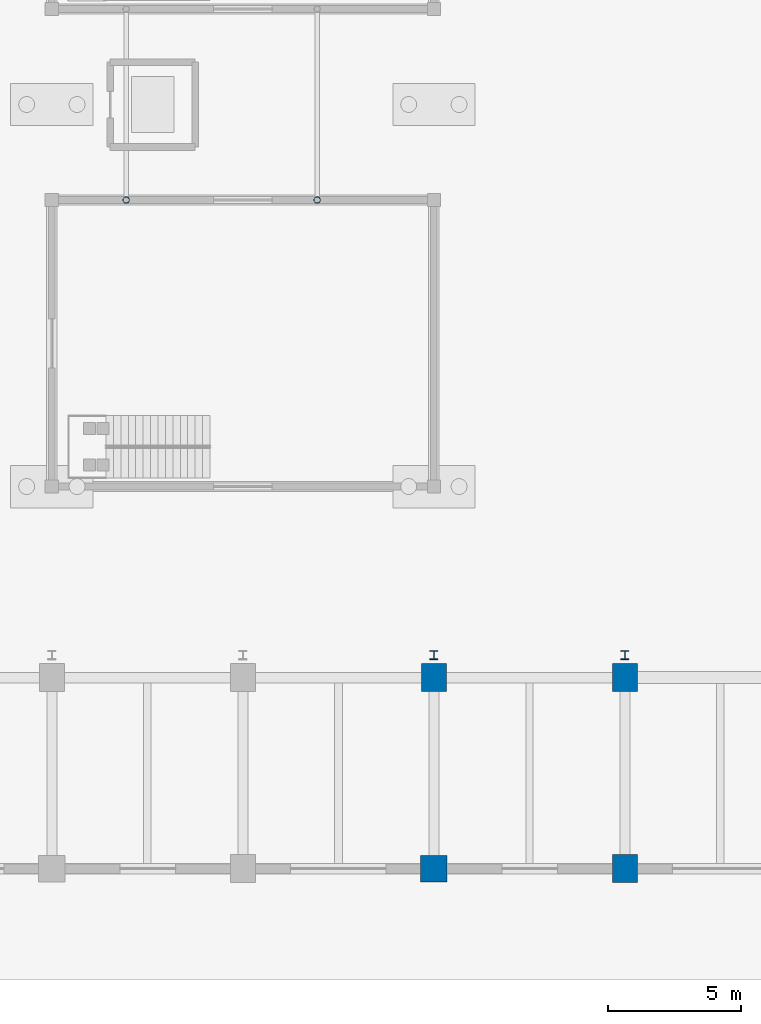
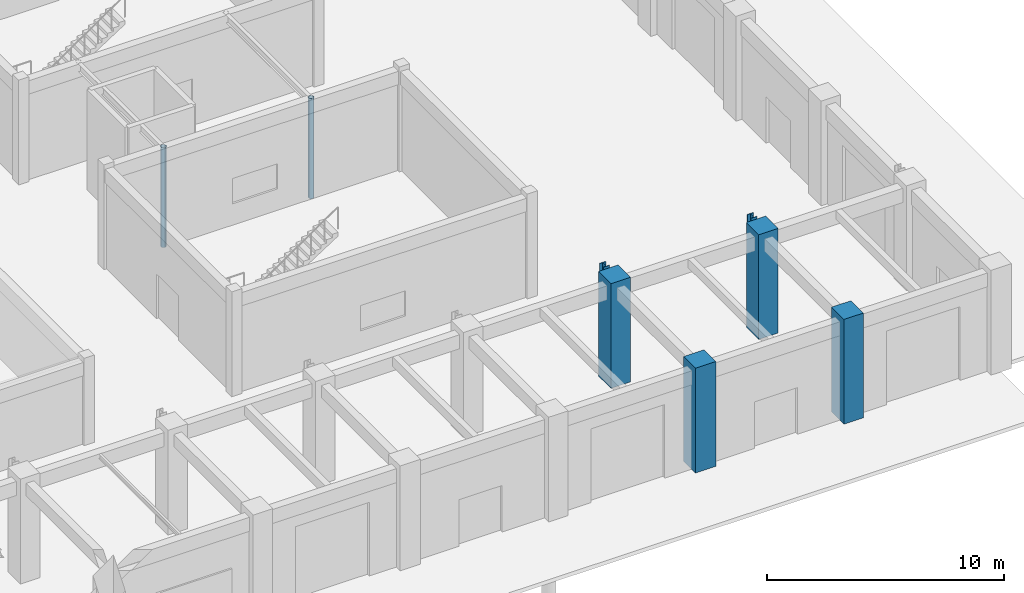
# One storey, part 9 of 160: 8 columns.
"""IFC4 building model written with IfcOpenShell, lengths in metres."""

from ifc_helpers import new_model, si_unit, direction, frame, origin, origin_2d, place, context, subcontext, project, spatial, rectangle, hollow_circle, i_section, extrude, material, material_profile, profile_set, type_object, element, save


model = new_model("IFC4")

# Units and contexts
model_context = context("Model", 3, precision=1e-05, world=origin(), true_north=direction((0.0, 1.0)))
body_context = subcontext(model_context, "Body", "Model", "MODEL_VIEW")
ifc_project = project(units=[si_unit("LENGTHUNIT", "METRE"), si_unit("AREAUNIT", "SQUARE_METRE"), si_unit("VOLUMEUNIT", "CUBIC_METRE"), si_unit("PLANEANGLEUNIT", "RADIAN"), si_unit("MASSUNIT", "GRAM", prefix="KILO")], contexts=[model_context])

# Site, building, storey
site_placement = place(None, origin())
site = spatial("IfcSite", under=ifc_project, at=site_placement, CompositionType="ELEMENT")
building_placement = place(site_placement, origin())
building = spatial("IfcBuilding", under=site, at=building_placement, Name="Thalmaran Polytechnic", CompositionType="ELEMENT")
storey_placement = place(building_placement, origin())
storey = spatial("IfcBuildingStorey", under=building, at=storey_placement, Name="L00", CompositionType="ELEMENT", Elevation=0.0)

# Columns
ifc_material_1 = material(Name="Steel S355", Category="steel")
ifc_material_profile_1 = material_profile(ifc_material_1, i_section(OverallWidth=0.300048828125, OverallDepth=0.340087890625, WebThickness=0.011962890625, FlangeThickness=0.021484375, at=origin_2d()), Name="HEB 340")
ifc_profile_set_1 = profile_set([ifc_material_profile_1], Name="Steel S355")
column_type_1 = type_object("IfcColumnType", Name="COL-SC1", PredefinedType="COLUMN", material=ifc_profile_set_1)
for number, where, z_axis, x_axis, name in (
    (1, (158.39990234375, 8.050048828125, 0.0), (0.0, 0.0, 1.0), (1.0, 0.0, 0.0), "Workshop Crane Runway Column L00 (22,1)"),
    (2, (165.60009765625, 8.050048828125, 0.0), (0.0, 0.0, 1.0), (1.0, 0.0, 0.0), "Workshop Crane Runway Column L00 (23,1)"),
):
    element("IfcColumn", number, at=place(storey_placement, frame(where, z_axis=z_axis, x_axis=x_axis)), inside=storey, type_object=column_type_1, Name=name, PredefinedType="COLUMN", context=body_context, shape_type="SweptSolid", body=[
        extrude(i_section(OverallWidth=0.300048828125, OverallDepth=0.340087890625, WebThickness=0.011962890625, FlangeThickness=0.021484375, at=origin_2d()), origin(), (0.0, 0.0, 1.0), 5.39990234375),
    ])
ifc_material_profile_2 = material_profile(ifc_material_1, hollow_circle(Radius=0.122314453125, WallThickness=0.010009765625, at=origin_2d()), Name="CHS 244.5x10.0")
ifc_profile_set_2 = profile_set([ifc_material_profile_2], Name="Steel S355")
column_type_2 = type_object("IfcColumnType", Name="COL-SC3", PredefinedType="COLUMN", material=ifc_profile_set_2)
for number, where, z_axis, x_axis, name in (
    (3, (146.800048828125, 25.199951171875, 0.0), (0.0, 0.0, 1.0), (1.0, 0.0, 0.0), "Pod Bridge Steel Post L00"),
    (4, (154.0, 25.199951171875, 0.0), (0.0, 0.0, 1.0), (1.0, 0.0, 0.0), "Pod Bridge Steel Post L00"),
):
    element("IfcColumn", number, at=place(storey_placement, frame(where, z_axis=z_axis, x_axis=x_axis)), inside=storey, type_object=column_type_2, Name=name, PredefinedType="COLUMN", context=body_context, shape_type="SweptSolid", body=[
        extrude(hollow_circle(Radius=0.122314453125, WallThickness=0.010009765625, at=origin_2d()), origin(), (0.0, 0.0, 1.0), 5.155029296875),
    ])
ifc_material_2 = material(Name="Concrete C50/60", Category="concrete")
ifc_material_profile_3 = material_profile(ifc_material_2, rectangle(XDim=1.0, YDim=1.0, at=origin_2d()), Name="RC 1000x1000")
ifc_profile_set_3 = profile_set([ifc_material_profile_3], Name="Concrete C50/60")
column_type_3 = type_object("IfcColumnType", Name="COL-WP1", PredefinedType="COLUMN", material=ifc_profile_set_3)
column_placement = place(storey_placement, frame((158.39990234375, 0.0, 0.0), z_axis=(0.0, 0.0, 1.0), x_axis=(1.0, 0.0, 0.0)))
element("IfcColumn", 5, at=column_placement, inside=storey, type_object=column_type_3, Name="Column WP1 L00 (22,0)", PredefinedType="COLUMN", context=body_context, shape_type="SweptSolid", body=[
    extrude(rectangle(XDim=1.0, YDim=1.0, at=origin_2d()), origin(), (0.0, 0.0, 1.0), 5.39990234375),
])
ifc_material_profile_4 = material_profile(ifc_material_2, rectangle(XDim=0.949951171875, YDim=1.050048828125, at=origin_2d()), Name="RC 950x1050")
ifc_profile_set_4 = profile_set([ifc_material_profile_4], Name="Concrete C50/60")
column_type_4 = type_object("IfcColumnType", Name="COL-WP2", PredefinedType="COLUMN", material=ifc_profile_set_4)
for number, where, z_axis, x_axis, name in (
    (6, (158.39990234375, 7.199951171875, 0.0), (0.0, 0.0, 1.0), (1.0, 0.0, 0.0), "Column WP2 L00 (22,1)"),
    (7, (165.60009765625, 0.0, 0.0), (0.0, 0.0, 1.0), (1.0, 0.0, 0.0), "Column WP2 L00 (23,0)"),
    (8, (165.60009765625, 7.199951171875, 0.0), (0.0, 0.0, 1.0), (1.0, 0.0, 0.0), "Column WP2 L00 (23,1)"),
):
    element("IfcColumn", number, at=place(storey_placement, frame(where, z_axis=z_axis, x_axis=x_axis)), inside=storey, type_object=column_type_4, Name=name, PredefinedType="COLUMN", context=body_context, shape_type="SweptSolid", body=[
        extrude(rectangle(XDim=0.949951171875, YDim=1.050048828125, at=origin_2d()), origin(), (0.0, 0.0, 1.0), 5.39990234375),
    ])

save(model, "model.ifc")
